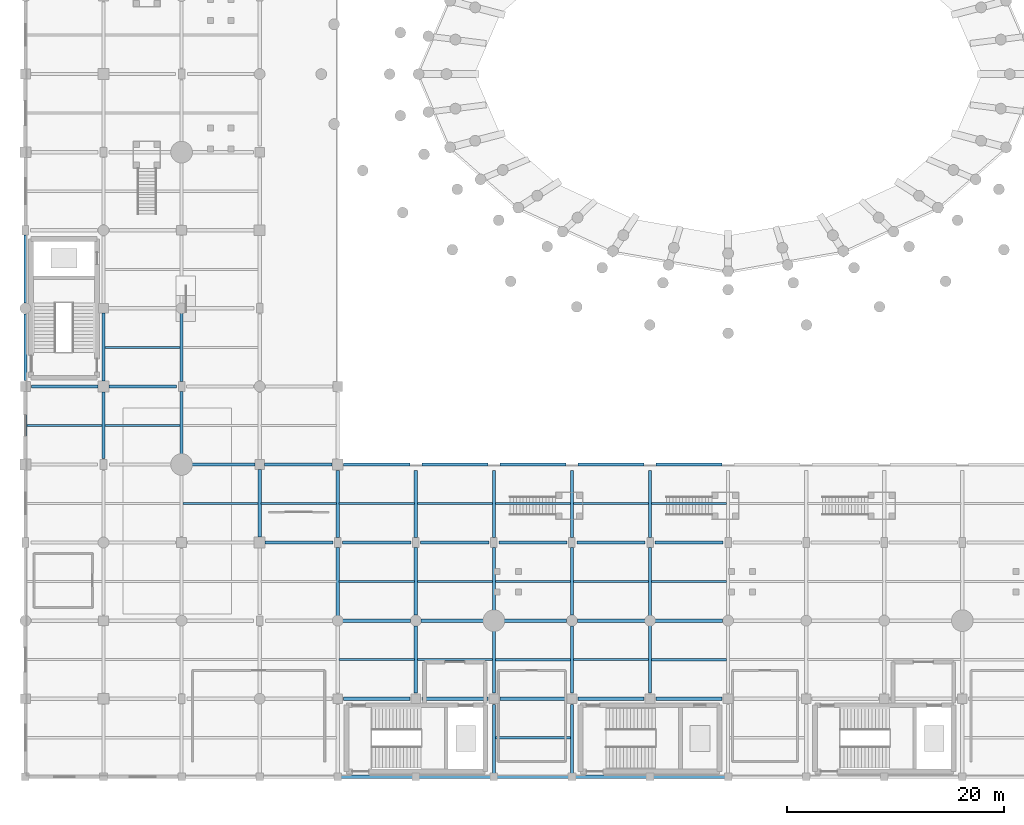
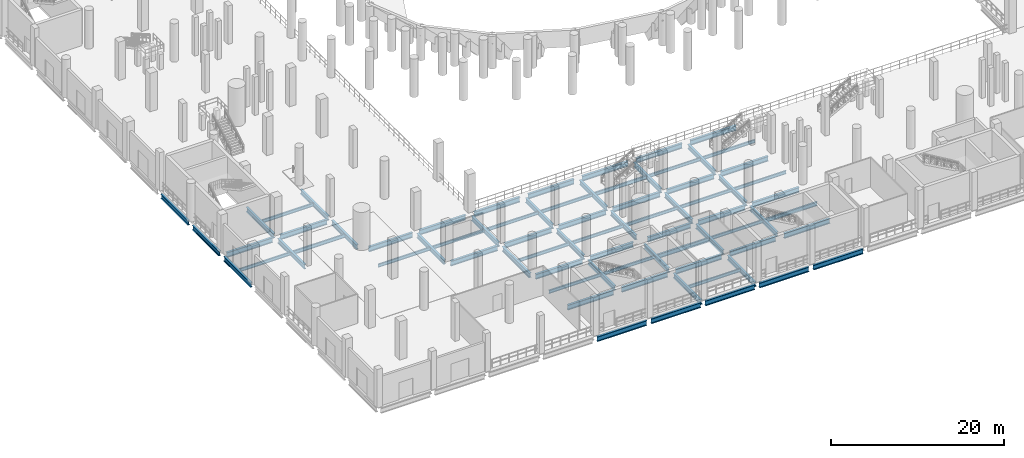
# One storey, part 6 of 58: 75 beams.
"""IFC4 building model written with IfcOpenShell, lengths in metres."""

from ifc_helpers import new_model, si_unit, direction, frame, origin, origin_2d, place, context, subcontext, project, spatial, i_section, extrude, material, material_profile, profile_set, type_object, element, save


model = new_model("IFC4")

# Units and contexts
model_context = context("Model", 3, precision=1e-05, world=origin(), true_north=direction((0.0, 1.0)))
body_context = subcontext(model_context, "Body", "Model", "MODEL_VIEW")
ifc_project = project(units=[si_unit("LENGTHUNIT", "METRE"), si_unit("AREAUNIT", "SQUARE_METRE"), si_unit("VOLUMEUNIT", "CUBIC_METRE"), si_unit("PLANEANGLEUNIT", "RADIAN"), si_unit("MASSUNIT", "GRAM", prefix="KILO")], contexts=[model_context])

# Site, building, storey
site_placement = place(None, origin())
site = spatial("IfcSite", under=ifc_project, at=site_placement, CompositionType="ELEMENT")
building_placement = place(site_placement, origin())
building = spatial("IfcBuilding", under=site, at=building_placement, Name="Qandorah Velis Arena", CompositionType="ELEMENT")
storey_placement = place(building_placement, origin())
storey = spatial("IfcBuildingStorey", under=building, at=storey_placement, Name="L00", CompositionType="ELEMENT", Elevation=0.0)

# Beams
ifc_material = material(Name="Steel S355", Category="steel")
ifc_material_profile_1 = material_profile(ifc_material, i_section(OverallWidth=0.300048828125, OverallDepth=0.64990234375, WebThickness=0.01611328125, FlangeThickness=0.031005859375, FilletRadius=0.027099609375, at=origin_2d()), Name="HEB 650")
ifc_profile_set_1 = profile_set([ifc_material_profile_1], Name="Steel S355")
beam_type_1 = type_object("IfcBeamType", Name="STR-BM-HEB650", PredefinedType="BEAM", material=ifc_profile_set_1)
beam_1_placement = place(storey_placement, frame((0.0, 29.25, -0.7451171875), z_axis=(0.0, 1.0, 0.0), x_axis=(-1.0, 0.0, 0.0)))
element("IfcBeam", 1, at=beam_1_placement, inside=storey, type_object=beam_type_1, Name="Primary floor girder L00 Y-272", PredefinedType="BEAM", context=body_context, shape_type="SweptSolid", body=[
    extrude(i_section(OverallWidth=0.300048828125, OverallDepth=0.64990234375, WebThickness=0.01611328125, FlangeThickness=0.031005859375, FilletRadius=0.027099609375, at=origin_2d()), origin(), (0.0, 0.0, 1.0), 6.199951171875),
])
beam_2_placement = place(storey_placement, frame((0.0, 36.550048828125, -0.7451171875), z_axis=(0.0, 1.0, 0.0), x_axis=(-1.0, 0.0, 0.0)))
element("IfcBeam", 2, at=beam_2_placement, inside=storey, type_object=beam_type_1, Name="Primary floor girder L00 Y-273", PredefinedType="BEAM", context=body_context, shape_type="SweptSolid", body=[
    extrude(i_section(OverallWidth=0.300048828125, OverallDepth=0.64990234375, WebThickness=0.01611328125, FlangeThickness=0.031005859375, FilletRadius=0.027099609375, at=origin_2d()), origin(), (0.0, 0.0, 1.0), 6.14990234375),
])
beam_3_placement = place(storey_placement, frame((0.0, 43.699951171875, -0.7451171875), z_axis=(0.0, 1.0, 0.0), x_axis=(-1.0, 0.0, 0.0)))
element("IfcBeam", 3, at=beam_3_placement, inside=storey, type_object=beam_type_1, Name="Primary floor girder L00 Y-274", PredefinedType="BEAM", context=body_context, shape_type="SweptSolid", body=[
    extrude(i_section(OverallWidth=0.300048828125, OverallDepth=0.64990234375, WebThickness=0.01611328125, FlangeThickness=0.031005859375, FilletRadius=0.027099609375, at=origin_2d()), origin(), (0.0, 0.0, 1.0), 6.25),
])
beam_4_placement = place(storey_placement, frame((7.199951171875, 29.35009765625, -0.7451171875), z_axis=(0.0, 1.0, 0.0), x_axis=(-1.0, 0.0, 0.0)))
element("IfcBeam", 4, at=beam_4_placement, inside=storey, type_object=beam_type_1, Name="Primary floor girder L00 Y-290", PredefinedType="BEAM", context=body_context, shape_type="SweptSolid", body=[
    extrude(i_section(OverallWidth=0.300048828125, OverallDepth=0.64990234375, WebThickness=0.01611328125, FlangeThickness=0.031005859375, FilletRadius=0.027099609375, at=origin_2d()), origin(), (0.0, 0.0, 1.0), 6.14990234375),
])
beam_5_placement = place(storey_placement, frame((7.199951171875, 36.5, -0.7451171875), z_axis=(0.0, 1.0, 0.0), x_axis=(-1.0, 0.0, 0.0)))
element("IfcBeam", 5, at=beam_5_placement, inside=storey, type_object=beam_type_1, Name="Primary floor girder L00 Y-291", PredefinedType="BEAM", context=body_context, shape_type="SweptSolid", body=[
    extrude(i_section(OverallWidth=0.300048828125, OverallDepth=0.64990234375, WebThickness=0.01611328125, FlangeThickness=0.031005859375, FilletRadius=0.027099609375, at=origin_2d()), origin(), (0.0, 0.0, 1.0), 6.25),
])
beam_6_placement = place(storey_placement, frame((14.39990234375, 29.75, -0.7451171875), z_axis=(0.0, 1.0, 0.0), x_axis=(-1.0, 0.0, 0.0)))
element("IfcBeam", 6, at=beam_6_placement, inside=storey, type_object=beam_type_1, Name="Primary floor girder L00 Y-308", PredefinedType="BEAM", context=body_context, shape_type="SweptSolid", body=[
    extrude(i_section(OverallWidth=0.300048828125, OverallDepth=0.64990234375, WebThickness=0.01611328125, FlangeThickness=0.031005859375, FilletRadius=0.027099609375, at=origin_2d()), origin(), (0.0, 0.0, 1.0), 5.800048828125),
])
beam_7_placement = place(storey_placement, frame((14.39990234375, 36.449951171875, -0.7451171875), z_axis=(0.0, 1.0, 0.0), x_axis=(-1.0, 0.0, 0.0)))
element("IfcBeam", 7, at=beam_7_placement, inside=storey, type_object=beam_type_1, Name="Primary floor girder L00 Y-309", PredefinedType="BEAM", context=body_context, shape_type="SweptSolid", body=[
    extrude(i_section(OverallWidth=0.300048828125, OverallDepth=0.64990234375, WebThickness=0.01611328125, FlangeThickness=0.031005859375, FilletRadius=0.027099609375, at=origin_2d()), origin(), (0.0, 0.0, 1.0), 6.300048828125),
])
beam_8_placement = place(storey_placement, frame((21.60009765625, 22.10009765625, -0.7451171875), z_axis=(0.0, 1.0, 0.0), x_axis=(-1.0, 0.0, 0.0)))
element("IfcBeam", 8, at=beam_8_placement, inside=storey, type_object=beam_type_1, Name="Primary floor girder L00 Y-325", PredefinedType="BEAM", context=body_context, shape_type="SweptSolid", body=[
    extrude(i_section(OverallWidth=0.300048828125, OverallDepth=0.64990234375, WebThickness=0.01611328125, FlangeThickness=0.031005859375, FilletRadius=0.027099609375, at=origin_2d()), origin(), (0.0, 0.0, 1.0), 6.25),
])
beam_9_placement = place(storey_placement, frame((28.800048828125, 14.85009765625, -0.7451171875), z_axis=(0.0, 1.0, 0.0), x_axis=(-1.0, 0.0, 0.0)))
element("IfcBeam", 9, at=beam_9_placement, inside=storey, type_object=beam_type_1, Name="Primary floor girder L00 Y-342", PredefinedType="BEAM", context=body_context, shape_type="SweptSolid", body=[
    extrude(i_section(OverallWidth=0.300048828125, OverallDepth=0.64990234375, WebThickness=0.01611328125, FlangeThickness=0.031005859375, FilletRadius=0.027099609375, at=origin_2d()), origin(), (0.0, 0.0, 1.0), 6.2998046875),
])
beam_10_placement = place(storey_placement, frame((28.800048828125, 22.050048828125, -0.7451171875), z_axis=(0.0, 1.0, 0.0), x_axis=(-1.0, 0.0, 0.0)))
element("IfcBeam", 10, at=beam_10_placement, inside=storey, type_object=beam_type_1, Name="Primary floor girder L00 Y-343", PredefinedType="BEAM", context=body_context, shape_type="SweptSolid", body=[
    extrude(i_section(OverallWidth=0.300048828125, OverallDepth=0.64990234375, WebThickness=0.01611328125, FlangeThickness=0.031005859375, FilletRadius=0.027099609375, at=origin_2d()), origin(), (0.0, 0.0, 1.0), 6.199951171875),
])
beam_11_placement = place(storey_placement, frame((36.0, 7.75, -0.7451171875), z_axis=(0.0, 1.0, 0.0), x_axis=(-1.0, 0.0, 0.0)))
element("IfcBeam", 11, at=beam_11_placement, inside=storey, type_object=beam_type_1, Name="Primary floor girder L00 Y-350", PredefinedType="BEAM", context=body_context, shape_type="SweptSolid", body=[
    extrude(i_section(OverallWidth=0.300048828125, OverallDepth=0.64990234375, WebThickness=0.01611328125, FlangeThickness=0.031005859375, FilletRadius=0.027099609375, at=origin_2d()), origin(), (0.0, 0.0, 1.0), 6.14990234375),
])
beam_12_placement = place(storey_placement, frame((36.0, 14.89990234375, -0.7451171875), z_axis=(0.0, 1.0, 0.0), x_axis=(-1.0, 0.0, 0.0)))
element("IfcBeam", 12, at=beam_12_placement, inside=storey, type_object=beam_type_1, Name="Primary floor girder L00 Y-351", PredefinedType="BEAM", context=body_context, shape_type="SweptSolid", body=[
    extrude(i_section(OverallWidth=0.300048828125, OverallDepth=0.64990234375, WebThickness=0.01611328125, FlangeThickness=0.031005859375, FilletRadius=0.027099609375, at=origin_2d()), origin(), (0.0, 0.0, 1.0), 6.25),
])
beam_13_placement = place(storey_placement, frame((36.0, 22.050048828125, -0.7451171875), z_axis=(0.0, 1.0, 0.0), x_axis=(-1.0, 0.0, 0.0)))
element("IfcBeam", 13, at=beam_13_placement, inside=storey, type_object=beam_type_1, Name="Primary floor girder L00 Y-352", PredefinedType="BEAM", context=body_context, shape_type="SweptSolid", body=[
    extrude(i_section(OverallWidth=0.300048828125, OverallDepth=0.64990234375, WebThickness=0.01611328125, FlangeThickness=0.031005859375, FilletRadius=0.027099609375, at=origin_2d()), origin(), (0.0, 0.0, 1.0), 6.199951171875),
])
beam_14_placement = place(storey_placement, frame((43.199951171875, 0.300048828125, -0.7451171875), z_axis=(0.0, 1.0, 0.0), x_axis=(-1.0, 0.0, 0.0)))
element("IfcBeam", 14, at=beam_14_placement, inside=storey, type_object=beam_type_1, Name="Primary floor girder L00 Y-356", PredefinedType="BEAM", context=body_context, shape_type="SweptSolid", body=[
    extrude(i_section(OverallWidth=0.300048828125, OverallDepth=0.64990234375, WebThickness=0.01611328125, FlangeThickness=0.031005859375, FilletRadius=0.027099609375, at=origin_2d()), origin(), (0.0, 0.0, 1.0), 6.349853515625),
])
beam_15_placement = place(storey_placement, frame((43.199951171875, 7.75, -0.7451171875), z_axis=(0.0, 1.0, 0.0), x_axis=(-1.0, 0.0, 0.0)))
element("IfcBeam", 15, at=beam_15_placement, inside=storey, type_object=beam_type_1, Name="Primary floor girder L00 Y-357", PredefinedType="BEAM", context=body_context, shape_type="SweptSolid", body=[
    extrude(i_section(OverallWidth=0.300048828125, OverallDepth=0.64990234375, WebThickness=0.01611328125, FlangeThickness=0.031005859375, FilletRadius=0.027099609375, at=origin_2d()), origin(), (0.0, 0.0, 1.0), 5.699951171875),
])
beam_16_placement = place(storey_placement, frame((43.199951171875, 15.35009765625, -0.7451171875), z_axis=(0.0, 1.0, 0.0), x_axis=(-1.0, 0.0, 0.0)))
element("IfcBeam", 16, at=beam_16_placement, inside=storey, type_object=beam_type_1, Name="Primary floor girder L00 Y-358", PredefinedType="BEAM", context=body_context, shape_type="SweptSolid", body=[
    extrude(i_section(OverallWidth=0.300048828125, OverallDepth=0.64990234375, WebThickness=0.01611328125, FlangeThickness=0.031005859375, FilletRadius=0.027099609375, at=origin_2d()), origin(), (0.0, 0.0, 1.0), 5.7998046875),
])
beam_17_placement = place(storey_placement, frame((43.199951171875, 22.050048828125, -0.7451171875), z_axis=(0.0, 1.0, 0.0), x_axis=(-1.0, 0.0, 0.0)))
element("IfcBeam", 17, at=beam_17_placement, inside=storey, type_object=beam_type_1, Name="Primary floor girder L00 Y-359", PredefinedType="BEAM", context=body_context, shape_type="SweptSolid", body=[
    extrude(i_section(OverallWidth=0.300048828125, OverallDepth=0.64990234375, WebThickness=0.01611328125, FlangeThickness=0.031005859375, FilletRadius=0.027099609375, at=origin_2d()), origin(), (0.0, 0.0, 1.0), 6.199951171875),
])
beam_18_placement = place(storey_placement, frame((50.39990234375, 0.300048828125, -0.7451171875), z_axis=(0.0, 1.0, 0.0), x_axis=(-1.0, 0.0, 0.0)))
element("IfcBeam", 18, at=beam_18_placement, inside=storey, type_object=beam_type_1, Name="Primary floor girder L00 Y-364", PredefinedType="BEAM", context=body_context, shape_type="SweptSolid", body=[
    extrude(i_section(OverallWidth=0.300048828125, OverallDepth=0.64990234375, WebThickness=0.01611328125, FlangeThickness=0.031005859375, FilletRadius=0.027099609375, at=origin_2d()), origin(), (0.0, 0.0, 1.0), 6.349853515625),
])
beam_19_placement = place(storey_placement, frame((50.39990234375, 7.75, -0.7451171875), z_axis=(0.0, 1.0, 0.0), x_axis=(-1.0, 0.0, 0.0)))
element("IfcBeam", 19, at=beam_19_placement, inside=storey, type_object=beam_type_1, Name="Primary floor girder L00 Y-365", PredefinedType="BEAM", context=body_context, shape_type="SweptSolid", body=[
    extrude(i_section(OverallWidth=0.300048828125, OverallDepth=0.64990234375, WebThickness=0.01611328125, FlangeThickness=0.031005859375, FilletRadius=0.027099609375, at=origin_2d()), origin(), (0.0, 0.0, 1.0), 6.14990234375),
])
beam_20_placement = place(storey_placement, frame((50.39990234375, 14.89990234375, -0.7451171875), z_axis=(0.0, 1.0, 0.0), x_axis=(-1.0, 0.0, 0.0)))
element("IfcBeam", 20, at=beam_20_placement, inside=storey, type_object=beam_type_1, Name="Primary floor girder L00 Y-366", PredefinedType="BEAM", context=body_context, shape_type="SweptSolid", body=[
    extrude(i_section(OverallWidth=0.300048828125, OverallDepth=0.64990234375, WebThickness=0.01611328125, FlangeThickness=0.031005859375, FilletRadius=0.027099609375, at=origin_2d()), origin(), (0.0, 0.0, 1.0), 6.25),
])
for number, where, z_axis, x_axis, name in (
    (21, (50.39990234375, 22.050048828125, -0.7451171875), (0.0, 1.0, 0.0), (-1.0, 0.0, 0.0), "Primary floor girder L00 Y-367"),
    (22, (57.60009765625, 7.75, -0.7451171875), (0.0, 1.0, 0.0), (-1.0, 0.0, 0.0), "Primary floor girder L00 Y-372"),
):
    element("IfcBeam", number, at=place(storey_placement, frame(where, z_axis=z_axis, x_axis=x_axis)), inside=storey, type_object=beam_type_1, Name=name, PredefinedType="BEAM", context=body_context, shape_type="SweptSolid", body=[
        extrude(i_section(OverallWidth=0.300048828125, OverallDepth=0.64990234375, WebThickness=0.01611328125, FlangeThickness=0.031005859375, FilletRadius=0.027099609375, at=origin_2d()), origin(), (0.0, 0.0, 1.0), 6.199951171875),
    ])
beam_21_placement = place(storey_placement, frame((57.60009765625, 14.85009765625, -0.7451171875), z_axis=(0.0, 1.0, 0.0), x_axis=(-1.0, 0.0, 0.0)))
element("IfcBeam", 23, at=beam_21_placement, inside=storey, type_object=beam_type_1, Name="Primary floor girder L00 Y-373", PredefinedType="BEAM", context=body_context, shape_type="SweptSolid", body=[
    extrude(i_section(OverallWidth=0.300048828125, OverallDepth=0.64990234375, WebThickness=0.01611328125, FlangeThickness=0.031005859375, FilletRadius=0.027099609375, at=origin_2d()), origin(), (0.0, 0.0, 1.0), 6.2998046875),
])
beam_22_placement = place(storey_placement, frame((57.60009765625, 22.050048828125, -0.7451171875), z_axis=(0.0, 1.0, 0.0), x_axis=(-1.0, 0.0, 0.0)))
element("IfcBeam", 24, at=beam_22_placement, inside=storey, type_object=beam_type_1, Name="Primary floor girder L00 Y-374", PredefinedType="BEAM", context=body_context, shape_type="SweptSolid", body=[
    extrude(i_section(OverallWidth=0.300048828125, OverallDepth=0.64990234375, WebThickness=0.01611328125, FlangeThickness=0.031005859375, FilletRadius=0.027099609375, at=origin_2d()), origin(), (0.0, 0.0, 1.0), 6.199951171875),
])
ifc_material_profile_2 = material_profile(ifc_material, i_section(OverallWidth=0.300048828125, OverallDepth=0.699951171875, WebThickness=0.01708984375, FlangeThickness=0.031982421875, FilletRadius=0.027099609375, at=origin_2d()), Name="HEB 700")
ifc_profile_set_2 = profile_set([ifc_material_profile_2], Name="Steel S355")
beam_type_2 = type_object("IfcBeamType", Name="STR-BM-HEB700", PredefinedType="BEAM", material=ifc_profile_set_2)
for number, where, z_axis, x_axis, name in (
    (25, (29.10009765625, 0.0, -0.77001953125), (1.0, 0.0, 0.0), (0.0, 1.0, 0.0), "Primary floor girder L00 X-005"),
    (26, (36.300048828125, 0.0, -0.77001953125), (1.0, 0.0, 0.0), (0.0, 1.0, 0.0), "Primary floor girder L00 X-006"),
):
    element("IfcBeam", number, at=place(storey_placement, frame(where, z_axis=z_axis, x_axis=x_axis)), inside=storey, type_object=beam_type_2, Name=name, PredefinedType="BEAM", context=body_context, shape_type="SweptSolid", body=[
        extrude(i_section(OverallWidth=0.300048828125, OverallDepth=0.699951171875, WebThickness=0.01708984375, FlangeThickness=0.031982421875, FilletRadius=0.027099609375, at=origin_2d()), origin(), (0.0, 0.0, 1.0), 6.599853515625),
    ])
for number, where, z_axis, x_axis, name in (
    (27, (43.5, 0.0, -0.77001953125), (1.0, 0.0, 0.0), (0.0, 1.0, 0.0), "Primary floor girder L00 X-007"),
    (28, (50.699951171875, 0.0, -0.77001953125), (1.0, 0.0, 0.0), (0.0, 1.0, 0.0), "Primary floor girder L00 X-008"),
    (29, (57.89990234375, 0.0, -0.77001953125), (1.0, 0.0, 0.0), (0.0, 1.0, 0.0), "Primary floor girder L00 X-009"),
):
    element("IfcBeam", number, at=place(storey_placement, frame(where, z_axis=z_axis, x_axis=x_axis)), inside=storey, type_object=beam_type_2, Name=name, PredefinedType="BEAM", context=body_context, shape_type="SweptSolid", body=[
        extrude(i_section(OverallWidth=0.300048828125, OverallDepth=0.699951171875, WebThickness=0.01708984375, FlangeThickness=0.031982421875, FilletRadius=0.027099609375, at=origin_2d()), origin(), (0.0, 0.0, 1.0), 6.60009765625),
    ])
for number, where, z_axis, x_axis, name in (
    (30, (29.35009765625, 7.199951171875, -0.77001953125), (1.0, 0.0, 0.0), (0.0, 1.0, 0.0), "Primary floor girder L00 X-021"),
    (31, (36.550048828125, 7.199951171875, -0.77001953125), (1.0, 0.0, 0.0), (0.0, 1.0, 0.0), "Primary floor girder L00 X-022"),
):
    element("IfcBeam", number, at=place(storey_placement, frame(where, z_axis=z_axis, x_axis=x_axis)), inside=storey, type_object=beam_type_2, Name=name, PredefinedType="BEAM", context=body_context, shape_type="SweptSolid", body=[
        extrude(i_section(OverallWidth=0.300048828125, OverallDepth=0.699951171875, WebThickness=0.01708984375, FlangeThickness=0.031982421875, FilletRadius=0.027099609375, at=origin_2d()), origin(), (0.0, 0.0, 1.0), 6.099853515625),
    ])
for number, where, z_axis, x_axis, name in (
    (32, (43.75, 7.199951171875, -0.77001953125), (1.0, 0.0, 0.0), (0.0, 1.0, 0.0), "Primary floor girder L00 X-023"),
    (33, (50.949951171875, 7.199951171875, -0.77001953125), (1.0, 0.0, 0.0), (0.0, 1.0, 0.0), "Primary floor girder L00 X-024"),
    (34, (58.14990234375, 7.199951171875, -0.77001953125), (1.0, 0.0, 0.0), (0.0, 1.0, 0.0), "Primary floor girder L00 X-025"),
):
    element("IfcBeam", number, at=place(storey_placement, frame(where, z_axis=z_axis, x_axis=x_axis)), inside=storey, type_object=beam_type_2, Name=name, PredefinedType="BEAM", context=body_context, shape_type="SweptSolid", body=[
        extrude(i_section(OverallWidth=0.300048828125, OverallDepth=0.699951171875, WebThickness=0.01708984375, FlangeThickness=0.031982421875, FilletRadius=0.027099609375, at=origin_2d()), origin(), (0.0, 0.0, 1.0), 6.10009765625),
    ])
beam_23_placement = place(storey_placement, frame((29.25, 14.39990234375, -0.77001953125), z_axis=(1.0, 0.0, 0.0), x_axis=(0.0, 1.0, 0.0)))
element("IfcBeam", 35, at=beam_23_placement, inside=storey, type_object=beam_type_2, Name="Primary floor girder L00 X-037", PredefinedType="BEAM", context=body_context, shape_type="SweptSolid", body=[
    extrude(i_section(OverallWidth=0.300048828125, OverallDepth=0.699951171875, WebThickness=0.01708984375, FlangeThickness=0.031982421875, FilletRadius=0.027099609375, at=origin_2d()), origin(), (0.0, 0.0, 1.0), 6.25),
])
for number, where, z_axis, x_axis, name in (
    (36, (36.5, 14.39990234375, -0.77001953125), (1.0, 0.0, 0.0), (0.0, 1.0, 0.0), "Primary floor girder L00 X-038"),
    (37, (44.14990234375, 14.39990234375, -0.77001953125), (1.0, 0.0, 0.0), (0.0, 1.0, 0.0), "Primary floor girder L00 X-039"),
):
    element("IfcBeam", number, at=place(storey_placement, frame(where, z_axis=z_axis, x_axis=x_axis)), inside=storey, type_object=beam_type_2, Name=name, PredefinedType="BEAM", context=body_context, shape_type="SweptSolid", body=[
        extrude(i_section(OverallWidth=0.300048828125, OverallDepth=0.699951171875, WebThickness=0.01708984375, FlangeThickness=0.031982421875, FilletRadius=0.027099609375, at=origin_2d()), origin(), (0.0, 0.0, 1.0), 5.75),
    ])
for number, where, z_axis, x_axis, name in (
    (38, (50.89990234375, 14.39990234375, -0.77001953125), (1.0, 0.0, 0.0), (0.0, 1.0, 0.0), "Primary floor girder L00 X-040"),
    (39, (58.050048828125, 14.39990234375, -0.77001953125), (1.0, 0.0, 0.0), (0.0, 1.0, 0.0), "Primary floor girder L00 X-041"),
    (40, (22.10009765625, 21.60009765625, -0.77001953125), (1.0, 0.0, 0.0), (0.0, 1.0, 0.0), "Primary floor girder L00 X-055"),
):
    element("IfcBeam", number, at=place(storey_placement, frame(where, z_axis=z_axis, x_axis=x_axis)), inside=storey, type_object=beam_type_2, Name=name, PredefinedType="BEAM", context=body_context, shape_type="SweptSolid", body=[
        extrude(i_section(OverallWidth=0.300048828125, OverallDepth=0.699951171875, WebThickness=0.01708984375, FlangeThickness=0.031982421875, FilletRadius=0.027099609375, at=origin_2d()), origin(), (0.0, 0.0, 1.0), 6.25),
    ])
for number, where, z_axis, x_axis, name in (
    (41, (29.25, 21.60009765625, -0.77001953125), (1.0, 0.0, 0.0), (0.0, 1.0, 0.0), "Primary floor girder L00 X-056"),
    (42, (36.449951171875, 21.60009765625, -0.77001953125), (1.0, 0.0, 0.0), (0.0, 1.0, 0.0), "Primary floor girder L00 X-057"),
    (43, (43.64990234375, 21.60009765625, -0.77001953125), (1.0, 0.0, 0.0), (0.0, 1.0, 0.0), "Primary floor girder L00 X-058"),
):
    element("IfcBeam", number, at=place(storey_placement, frame(where, z_axis=z_axis, x_axis=x_axis)), inside=storey, type_object=beam_type_2, Name=name, PredefinedType="BEAM", context=body_context, shape_type="SweptSolid", body=[
        extrude(i_section(OverallWidth=0.300048828125, OverallDepth=0.699951171875, WebThickness=0.01708984375, FlangeThickness=0.031982421875, FilletRadius=0.027099609375, at=origin_2d()), origin(), (0.0, 0.0, 1.0), 6.300048828125),
    ])
beam_24_placement = place(storey_placement, frame((50.85009765625, 21.60009765625, -0.77001953125), z_axis=(1.0, 0.0, 0.0), x_axis=(0.0, 1.0, 0.0)))
element("IfcBeam", 44, at=beam_24_placement, inside=storey, type_object=beam_type_2, Name="Primary floor girder L00 X-059", PredefinedType="BEAM", context=body_context, shape_type="SweptSolid", body=[
    extrude(i_section(OverallWidth=0.300048828125, OverallDepth=0.699951171875, WebThickness=0.01708984375, FlangeThickness=0.031982421875, FilletRadius=0.027099609375, at=origin_2d()), origin(), (0.0, 0.0, 1.0), 6.2998046875),
])
beam_25_placement = place(storey_placement, frame((58.050048828125, 21.60009765625, -0.77001953125), z_axis=(1.0, 0.0, 0.0), x_axis=(0.0, 1.0, 0.0)))
element("IfcBeam", 45, at=beam_25_placement, inside=storey, type_object=beam_type_2, Name="Primary floor girder L00 X-060", PredefinedType="BEAM", context=body_context, shape_type="SweptSolid", body=[
    extrude(i_section(OverallWidth=0.300048828125, OverallDepth=0.699951171875, WebThickness=0.01708984375, FlangeThickness=0.031982421875, FilletRadius=0.027099609375, at=origin_2d()), origin(), (0.0, 0.0, 1.0), 6.300048828125),
])
beam_26_placement = place(storey_placement, frame((15.35009765625, 28.800048828125, -0.77001953125), z_axis=(1.0, 0.0, 0.0), x_axis=(0.0, 1.0, 0.0)))
element("IfcBeam", 46, at=beam_26_placement, inside=storey, type_object=beam_type_2, Name="Primary floor girder L00 X-073", PredefinedType="BEAM", context=body_context, shape_type="SweptSolid", body=[
    extrude(i_section(OverallWidth=0.300048828125, OverallDepth=0.699951171875, WebThickness=0.01708984375, FlangeThickness=0.031982421875, FilletRadius=0.027099609375, at=origin_2d()), origin(), (0.0, 0.0, 1.0), 5.7998046875),
])
beam_27_placement = place(storey_placement, frame((22.050048828125, 28.800048828125, -0.77001953125), z_axis=(1.0, 0.0, 0.0), x_axis=(0.0, 1.0, 0.0)))
element("IfcBeam", 47, at=beam_27_placement, inside=storey, type_object=beam_type_2, Name="Primary floor girder L00 X-074", PredefinedType="BEAM", context=body_context, shape_type="SweptSolid", body=[
    extrude(i_section(OverallWidth=0.300048828125, OverallDepth=0.699951171875, WebThickness=0.01708984375, FlangeThickness=0.031982421875, FilletRadius=0.027099609375, at=origin_2d()), origin(), (0.0, 0.0, 1.0), 6.199951171875),
])
for number, where, z_axis, x_axis, name in (
    (48, (29.35009765625, 28.800048828125, -0.77001953125), (1.0, 0.0, 0.0), (0.0, 1.0, 0.0), "Primary floor girder L00 X-075"),
    (49, (36.550048828125, 28.800048828125, -0.77001953125), (1.0, 0.0, 0.0), (0.0, 1.0, 0.0), "Primary floor girder L00 X-076"),
):
    element("IfcBeam", number, at=place(storey_placement, frame(where, z_axis=z_axis, x_axis=x_axis)), inside=storey, type_object=beam_type_2, Name=name, PredefinedType="BEAM", context=body_context, shape_type="SweptSolid", body=[
        extrude(i_section(OverallWidth=0.300048828125, OverallDepth=0.699951171875, WebThickness=0.01708984375, FlangeThickness=0.031982421875, FilletRadius=0.027099609375, at=origin_2d()), origin(), (0.0, 0.0, 1.0), 6.099853515625),
    ])
for number, where, z_axis, x_axis, name in (
    (50, (43.75, 28.800048828125, -0.77001953125), (1.0, 0.0, 0.0), (0.0, 1.0, 0.0), "Primary floor girder L00 X-077"),
    (51, (50.949951171875, 28.800048828125, -0.77001953125), (1.0, 0.0, 0.0), (0.0, 1.0, 0.0), "Primary floor girder L00 X-078"),
    (52, (58.14990234375, 28.800048828125, -0.77001953125), (1.0, 0.0, 0.0), (0.0, 1.0, 0.0), "Primary floor girder L00 X-079"),
):
    element("IfcBeam", number, at=place(storey_placement, frame(where, z_axis=z_axis, x_axis=x_axis)), inside=storey, type_object=beam_type_2, Name=name, PredefinedType="BEAM", context=body_context, shape_type="SweptSolid", body=[
        extrude(i_section(OverallWidth=0.300048828125, OverallDepth=0.699951171875, WebThickness=0.01708984375, FlangeThickness=0.031982421875, FilletRadius=0.027099609375, at=origin_2d()), origin(), (0.0, 0.0, 1.0), 6.10009765625),
    ])
beam_28_placement = place(storey_placement, frame((0.550048828125, 36.0, -0.77001953125), z_axis=(1.0, 0.0, 0.0), x_axis=(0.0, 1.0, 0.0)))
element("IfcBeam", 53, at=beam_28_placement, inside=storey, type_object=beam_type_2, Name="Primary floor girder L00 X-091", PredefinedType="BEAM", context=body_context, shape_type="SweptSolid", body=[
    extrude(i_section(OverallWidth=0.300048828125, OverallDepth=0.699951171875, WebThickness=0.01708984375, FlangeThickness=0.031982421875, FilletRadius=0.027099609375, at=origin_2d()), origin(), (0.0, 0.0, 1.0), 6.14990234375),
])
beam_29_placement = place(storey_placement, frame((7.699951171875, 36.0, -0.77001953125), z_axis=(1.0, 0.0, 0.0), x_axis=(0.0, 1.0, 0.0)))
element("IfcBeam", 54, at=beam_29_placement, inside=storey, type_object=beam_type_2, Name="Primary floor girder L00 X-092", PredefinedType="BEAM", context=body_context, shape_type="SweptSolid", body=[
    extrude(i_section(OverallWidth=0.300048828125, OverallDepth=0.699951171875, WebThickness=0.01708984375, FlangeThickness=0.031982421875, FilletRadius=0.027099609375, at=origin_2d()), origin(), (0.0, 0.0, 1.0), 6.25),
])
ifc_material_profile_3 = material_profile(ifc_material, i_section(OverallWidth=0.18994140625, OverallDepth=0.449951171875, WebThickness=0.009521484375, FlangeThickness=0.0146484375, FilletRadius=0.02099609375, at=origin_2d()), Name="IPE 450")
ifc_profile_set_3 = profile_set([ifc_material_profile_3], Name="Steel S355")
beam_type_3 = type_object("IfcBeamType", Name="STR-JST-IPE450", PredefinedType="JOIST", material=ifc_profile_set_3)
for number, where, z_axis, x_axis, name in (
    (55, (0.135009765625, 32.39990234375, -0.64501953125), (1.0, 0.0, 0.0), (0.0, 1.0, 0.0), "Secondary floor joist L00-005"),
    (56, (7.3349609375, 39.60009765625, -0.64501953125), (1.0, 0.0, 0.0), (0.0, 1.0, 0.0), "Secondary floor joist L00-020"),
):
    element("IfcBeam", number, at=place(storey_placement, frame(where, z_axis=z_axis, x_axis=x_axis)), inside=storey, type_object=beam_type_3, Name=name, PredefinedType="JOIST", context=body_context, shape_type="SweptSolid", body=[
        extrude(i_section(OverallWidth=0.18994140625, OverallDepth=0.449951171875, WebThickness=0.009521484375, FlangeThickness=0.0146484375, FilletRadius=0.02099609375, at=origin_2d()), origin(), (0.0, 0.0, 1.0), 6.929931640625),
    ])
beam_30_placement = place(storey_placement, frame((14.534912109375, 25.199951171875, -0.64501953125), z_axis=(1.0, 0.0, 0.0), x_axis=(0.0, 1.0, 0.0)))
element("IfcBeam", 57, at=beam_30_placement, inside=storey, type_object=beam_type_3, Name="Secondary floor joist L00-036", PredefinedType="JOIST", context=body_context, shape_type="SweptSolid", body=[
    extrude(i_section(OverallWidth=0.18994140625, OverallDepth=0.449951171875, WebThickness=0.009521484375, FlangeThickness=0.0146484375, FilletRadius=0.02099609375, at=origin_2d()), origin(), (0.0, 0.0, 1.0), 6.93017578125),
])
for number, where, z_axis, x_axis, name in (
    (58, (21.735107421875, 25.199951171875, -0.64501953125), (1.0, 0.0, 0.0), (0.0, 1.0, 0.0), "Secondary floor joist L00-054"),
    (59, (28.93505859375, 10.800048828125, -0.64501953125), (1.0, 0.0, 0.0), (0.0, 1.0, 0.0), "Secondary floor joist L00-061"),
    (60, (28.93505859375, 18.0, -0.64501953125), (1.0, 0.0, 0.0), (0.0, 1.0, 0.0), "Secondary floor joist L00-062"),
    (61, (28.93505859375, 25.199951171875, -0.64501953125), (1.0, 0.0, 0.0), (0.0, 1.0, 0.0), "Secondary floor joist L00-063"),
    (62, (36.135009765625, 10.800048828125, -0.64501953125), (1.0, 0.0, 0.0), (0.0, 1.0, 0.0), "Secondary floor joist L00-067"),
    (63, (36.135009765625, 18.0, -0.64501953125), (1.0, 0.0, 0.0), (0.0, 1.0, 0.0), "Secondary floor joist L00-068"),
    (64, (36.135009765625, 25.199951171875, -0.64501953125), (1.0, 0.0, 0.0), (0.0, 1.0, 0.0), "Secondary floor joist L00-069"),
    (65, (43.3349609375, 3.60009765625, -0.64501953125), (1.0, 0.0, 0.0), (0.0, 1.0, 0.0), "Secondary floor joist L00-073"),
    (66, (43.3349609375, 18.0, -0.64501953125), (1.0, 0.0, 0.0), (0.0, 1.0, 0.0), "Secondary floor joist L00-075"),
):
    element("IfcBeam", number, at=place(storey_placement, frame(where, z_axis=z_axis, x_axis=x_axis)), inside=storey, type_object=beam_type_3, Name=name, PredefinedType="JOIST", context=body_context, shape_type="SweptSolid", body=[
        extrude(i_section(OverallWidth=0.18994140625, OverallDepth=0.449951171875, WebThickness=0.009521484375, FlangeThickness=0.0146484375, FilletRadius=0.02099609375, at=origin_2d()), origin(), (0.0, 0.0, 1.0), 6.929931640625),
    ])
for number, where, z_axis, x_axis, name in (
    (67, (50.534912109375, 10.800048828125, -0.64501953125), (1.0, 0.0, 0.0), (0.0, 1.0, 0.0), "Secondary floor joist L00-081"),
    (68, (50.534912109375, 18.0, -0.64501953125), (1.0, 0.0, 0.0), (0.0, 1.0, 0.0), "Secondary floor joist L00-082"),
    (69, (50.534912109375, 25.199951171875, -0.64501953125), (1.0, 0.0, 0.0), (0.0, 1.0, 0.0), "Secondary floor joist L00-083"),
):
    element("IfcBeam", number, at=place(storey_placement, frame(where, z_axis=z_axis, x_axis=x_axis)), inside=storey, type_object=beam_type_3, Name=name, PredefinedType="JOIST", context=body_context, shape_type="SweptSolid", body=[
        extrude(i_section(OverallWidth=0.18994140625, OverallDepth=0.449951171875, WebThickness=0.009521484375, FlangeThickness=0.0146484375, FilletRadius=0.02099609375, at=origin_2d()), origin(), (0.0, 0.0, 1.0), 6.93017578125),
    ])
for number, where, z_axis, x_axis, name in (
    (70, (57.735107421875, 18.0, -0.64501953125), (1.0, 0.0, 0.0), (0.0, 1.0, 0.0), "Secondary floor joist L00-088"),
    (71, (57.735107421875, 25.199951171875, -0.64501953125), (1.0, 0.0, 0.0), (0.0, 1.0, 0.0), "Secondary floor joist L00-089"),
):
    element("IfcBeam", number, at=place(storey_placement, frame(where, z_axis=z_axis, x_axis=x_axis)), inside=storey, type_object=beam_type_3, Name=name, PredefinedType="JOIST", context=body_context, shape_type="SweptSolid", body=[
        extrude(i_section(OverallWidth=0.18994140625, OverallDepth=0.449951171875, WebThickness=0.009521484375, FlangeThickness=0.0146484375, FilletRadius=0.02099609375, at=origin_2d()), origin(), (0.0, 0.0, 1.0), 6.929931640625),
    ])
ifc_material_profile_4 = material_profile(ifc_material, i_section(OverallWidth=0.199951171875, OverallDepth=0.5, WebThickness=0.01025390625, FlangeThickness=0.01611328125, FilletRadius=0.02099609375, at=origin_2d()), Name="IPE 500")
ifc_profile_set_4 = profile_set([ifc_material_profile_4], Name="Steel S355")
beam_type_4 = type_object("IfcBeamType", Name="STR-JST-IPE500", PredefinedType="JOIST", material=ifc_profile_set_4)
for number, where, z_axis, x_axis, name in (
    (72, (7.3349609375, 32.39990234375, -0.669921875), (1.0, 0.0, 0.0), (0.0, 1.0, 0.0), "Secondary floor joist L00-019"),
    (73, (43.3349609375, 25.199951171875, -0.669921875), (1.0, 0.0, 0.0), (0.0, 1.0, 0.0), "Secondary floor joist L00-076"),
):
    element("IfcBeam", number, at=place(storey_placement, frame(where, z_axis=z_axis, x_axis=x_axis)), inside=storey, type_object=beam_type_4, Name=name, PredefinedType="JOIST", context=body_context, shape_type="SweptSolid", body=[
        extrude(i_section(OverallWidth=0.199951171875, OverallDepth=0.5, WebThickness=0.01025390625, FlangeThickness=0.01611328125, FilletRadius=0.02099609375, at=origin_2d()), origin(), (0.0, 0.0, 1.0), 6.929931640625),
    ])
ifc_material_profile_5 = material_profile(ifc_material, i_section(OverallWidth=0.2099609375, OverallDepth=0.550048828125, WebThickness=0.010986328125, FlangeThickness=0.01708984375, FilletRadius=0.02392578125, at=origin_2d()), Name="IPE 550")
ifc_profile_set_5 = profile_set([ifc_material_profile_5], Name="Steel S355")
beam_type_5 = type_object("IfcBeamType", Name="STR-JST-IPE550", PredefinedType="JOIST", material=ifc_profile_set_5)
beam_31_placement = place(storey_placement, frame((57.735107421875, 10.800048828125, -0.695068359375), z_axis=(1.0, 0.0, 0.0), x_axis=(0.0, 1.0, 0.0)))
element("IfcBeam", 74, at=beam_31_placement, inside=storey, type_object=beam_type_5, Name="Secondary floor joist L00-087", PredefinedType="JOIST", context=body_context, shape_type="SweptSolid", body=[
    extrude(i_section(OverallWidth=0.2099609375, OverallDepth=0.550048828125, WebThickness=0.010986328125, FlangeThickness=0.01708984375, FilletRadius=0.02392578125, at=origin_2d()), origin(), (0.0, 0.0, 1.0), 6.929931640625),
])
ifc_material_profile_6 = material_profile(ifc_material, i_section(OverallWidth=0.219970703125, OverallDepth=0.60009765625, WebThickness=0.011962890625, FlangeThickness=0.01904296875, FilletRadius=0.02392578125, at=origin_2d()), Name="IPE 600")
ifc_profile_set_6 = profile_set([ifc_material_profile_6], Name="Steel S355")
beam_type_6 = type_object("IfcBeamType", Name="STR-JST-IPE600", PredefinedType="JOIST", material=ifc_profile_set_6)
beam_32_placement = place(storey_placement, frame((43.3349609375, 10.800048828125, -0.719970703125), z_axis=(1.0, 0.0, 0.0), x_axis=(0.0, 1.0, 0.0)))
element("IfcBeam", 75, at=beam_32_placement, inside=storey, type_object=beam_type_6, Name="Secondary floor joist L00-074", PredefinedType="JOIST", context=body_context, shape_type="SweptSolid", body=[
    extrude(i_section(OverallWidth=0.219970703125, OverallDepth=0.60009765625, WebThickness=0.011962890625, FlangeThickness=0.01904296875, FilletRadius=0.02392578125, at=origin_2d()), origin(), (0.0, 0.0, 1.0), 6.929931640625),
])

save(model, "model.ifc")
